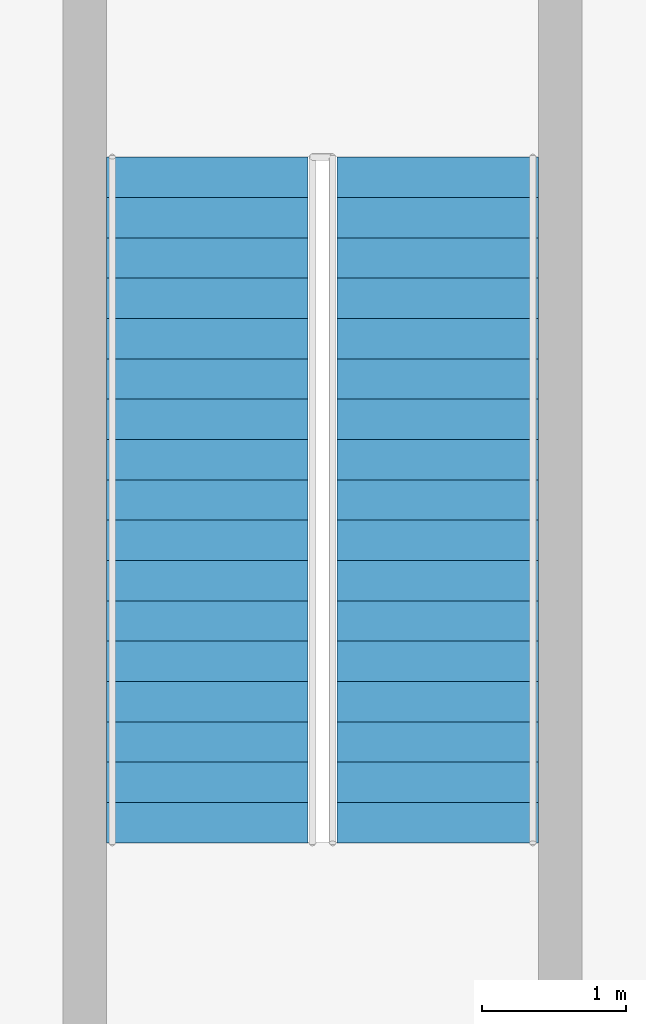
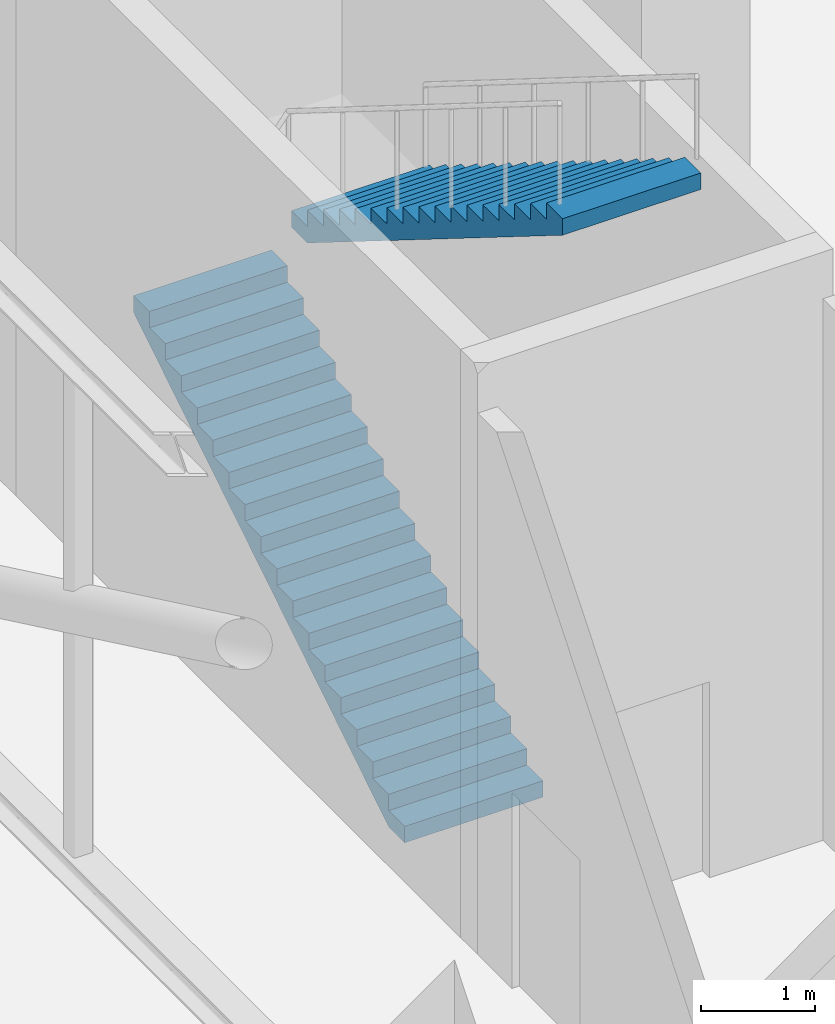
# One storey, part 12 of 14: 2 stair flights, 1 element without a shape of its own.
"""IFC4 building model written with IfcOpenShell, lengths in metres."""

from ifc_helpers import new_model, si_unit, direction, frame, origin, place, context, subcontext, project, spatial, polyline, outline, extrude, material, type_object, element, aggregate, save


model = new_model("IFC4")

# Units and contexts
model_context = context("Model", 3, precision=1e-05, world=origin(), true_north=direction((0.0, 1.0)))
body_context = subcontext(model_context, "Body", "Model", "MODEL_VIEW")
ifc_project = project(units=[si_unit("LENGTHUNIT", "METRE"), si_unit("AREAUNIT", "SQUARE_METRE"), si_unit("VOLUMEUNIT", "CUBIC_METRE"), si_unit("PLANEANGLEUNIT", "RADIAN"), si_unit("MASSUNIT", "GRAM", prefix="KILO")], contexts=[model_context])

# Site, building, storey
site_placement = place(None, origin())
site = spatial("IfcSite", under=ifc_project, at=site_placement, CompositionType="ELEMENT")
building_placement = place(site_placement, origin())
building = spatial("IfcBuilding", under=site, at=building_placement, Name="Brigalow Station Residences", CompositionType="ELEMENT")
storey_placement = place(building_placement, frame((0.0, 0.0, 185.39990234375)))
storey = spatial("IfcBuildingStorey", under=building, at=storey_placement, Name="L54", CompositionType="ELEMENT", Elevation=185.39990234375)

# Stair, stair flights
ifc_material_1 = material(Name="Concrete C50", Category="concrete")
stair_type = type_object("IfcStairType", Name="EXIT STAIR 1400 2 FLIGHT", PredefinedType="HALF_TURN_STAIR", material=ifc_material_1)
stair_placement = place(storey_placement, origin())
stair = element("IfcStair", 1, at=stair_placement, inside=storey, type_object=stair_type, Name="EXIT STAIR S3 L54", PredefinedType="HALF_TURN_STAIR")
ifc_material_2 = material(Name="Concrete C50", Category="concrete")
stair_flight_type = type_object("IfcStairFlightType", Name="STAIR FLIGHT 1400", PredefinedType="STRAIGHT", material=ifc_material_2)
stair_flight_1_placement = place(storey_placement, frame((57.199951171875, 28.800048828125, 0.0), z_axis=(0.0, 0.0, 1.0), x_axis=(0.0, 1.0, 0.0)))
stair_flight_1 = element("IfcStairFlight", 2, at=stair_flight_1_placement, type_object=stair_flight_type, Name="ST-3 flight 1", NumberOfRisers=18, NumberOfTreads=17, PredefinedType="STRAIGHT", RiserHeight=0.175, TreadLength=0.28, context=body_context, shape_type="SweptSolid", body=[
    extrude(outline(polyline([(0.0, 0.0), (0.0, 0.175048828125), (0.280029296875, 0.175048828125), (0.280029296875, 0.35009765625), (0.56005859375, 0.35009765625), (0.56005859375, 0.52490234375), (0.840087890625, 0.52490234375), (0.840087890625, 0.699951171875), (1.1201171875, 0.699951171875), (1.1201171875, 0.875), (1.39990234375, 0.875), (1.39990234375, 1.050048828125), (1.679931640625, 1.050048828125), (1.679931640625, 1.22509765625), (1.9599609375, 1.22509765625), (1.9599609375, 1.39990234375), (2.239990234375, 1.39990234375), (2.239990234375, 1.574951171875), (2.52001953125, 1.574951171875), (2.52001953125, 1.75), (2.800048828125, 1.75), (2.800048828125, 1.925048828125), (3.080078125, 1.925048828125), (3.080078125, 2.10009765625), (3.360107421875, 2.10009765625), (3.360107421875, 2.27490234375), (3.639892578125, 2.27490234375), (3.639892578125, 2.449951171875), (3.919921875, 2.449951171875), (3.919921875, 2.625), (4.199951171875, 2.625), (4.199951171875, 2.800048828125), (4.47998046875, 2.800048828125), (4.47998046875, 2.97509765625), (4.760009765625, 2.97509765625), (4.760009765625, 3.14990234375), (4.760009765625, 2.79833984375), (0.28271484375, 0.0), (0.0, 0.0)])), frame((0.0, 0.699951171875, 0.0), z_axis=(0.0, -1.0, 0.0), x_axis=(1.0, 0.0, 0.0)), (0.0, 0.0, 1.0), 1.39990234375),
])
stair_flight_2_placement = place(storey_placement, frame((58.800048828125, 33.56005859375, 3.150146484375), z_axis=(0.0, 0.0, 1.0), x_axis=(0.0, -1.0, 0.0)))
stair_flight_2 = element("IfcStairFlight", 3, at=stair_flight_2_placement, type_object=stair_flight_type, Name="ST-3 flight 2", NumberOfRisers=18, NumberOfTreads=17, PredefinedType="STRAIGHT", RiserHeight=0.175, TreadLength=0.28, context=body_context, shape_type="SweptSolid", body=[
    extrude(outline(polyline([(0.0, 0.0), (0.0, 0.175048828125), (0.280029296875, 0.175048828125), (0.280029296875, 0.35009765625), (0.56005859375, 0.35009765625), (0.56005859375, 0.52490234375), (0.840087890625, 0.52490234375), (0.840087890625, 0.699951171875), (1.1201171875, 0.699951171875), (1.1201171875, 0.875), (1.39990234375, 0.875), (1.39990234375, 1.050048828125), (1.679931640625, 1.050048828125), (1.679931640625, 1.22509765625), (1.9599609375, 1.22509765625), (1.9599609375, 1.39990234375), (2.239990234375, 1.39990234375), (2.239990234375, 1.574951171875), (2.52001953125, 1.574951171875), (2.52001953125, 1.75), (2.800048828125, 1.75), (2.800048828125, 1.925048828125), (3.080078125, 1.925048828125), (3.080078125, 2.10009765625), (3.360107421875, 2.10009765625), (3.360107421875, 2.27490234375), (3.639892578125, 2.27490234375), (3.639892578125, 2.449951171875), (3.919921875, 2.449951171875), (3.919921875, 2.625), (4.199951171875, 2.625), (4.199951171875, 2.800048828125), (4.47998046875, 2.800048828125), (4.47998046875, 2.97509765625), (4.760009765625, 2.97509765625), (4.760009765625, 3.14990234375), (4.760009765625, 2.79833984375), (0.28271484375, 0.0), (0.0, 0.0)])), frame((0.0, 0.699951171875, 0.0), z_axis=(0.0, -1.0, 0.0), x_axis=(1.0, 0.0, 0.0)), (0.0, 0.0, 1.0), 1.39990234375),
])
aggregate(stair, [stair_flight_1, stair_flight_2])

save(model, "model.ifc")
